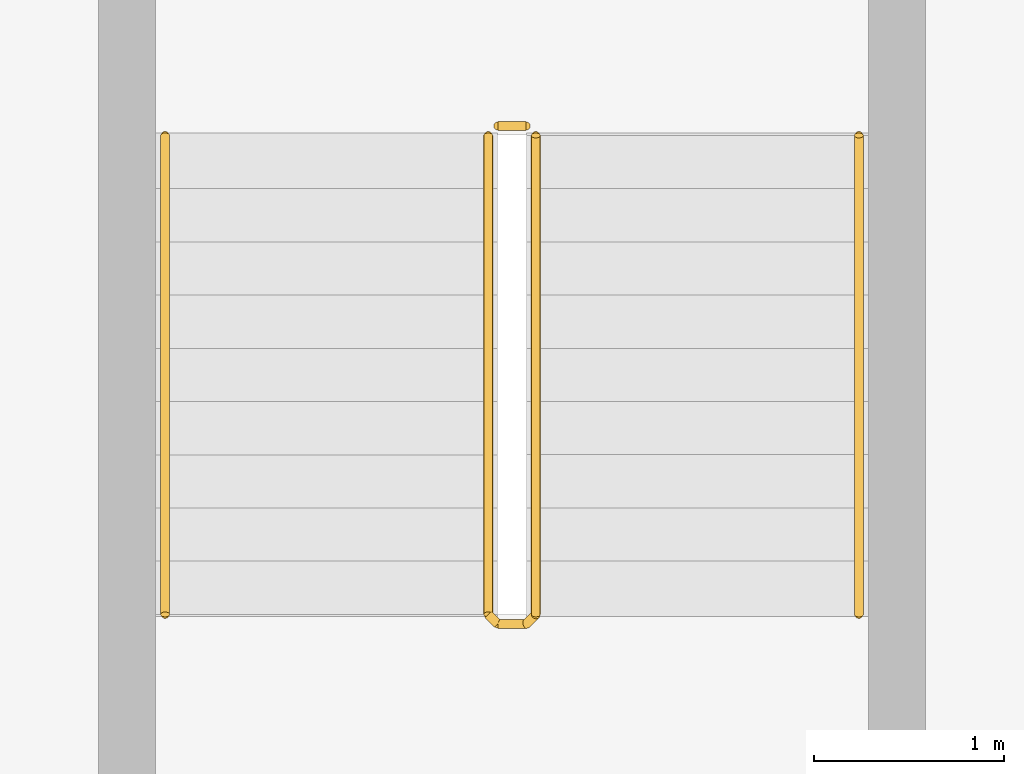
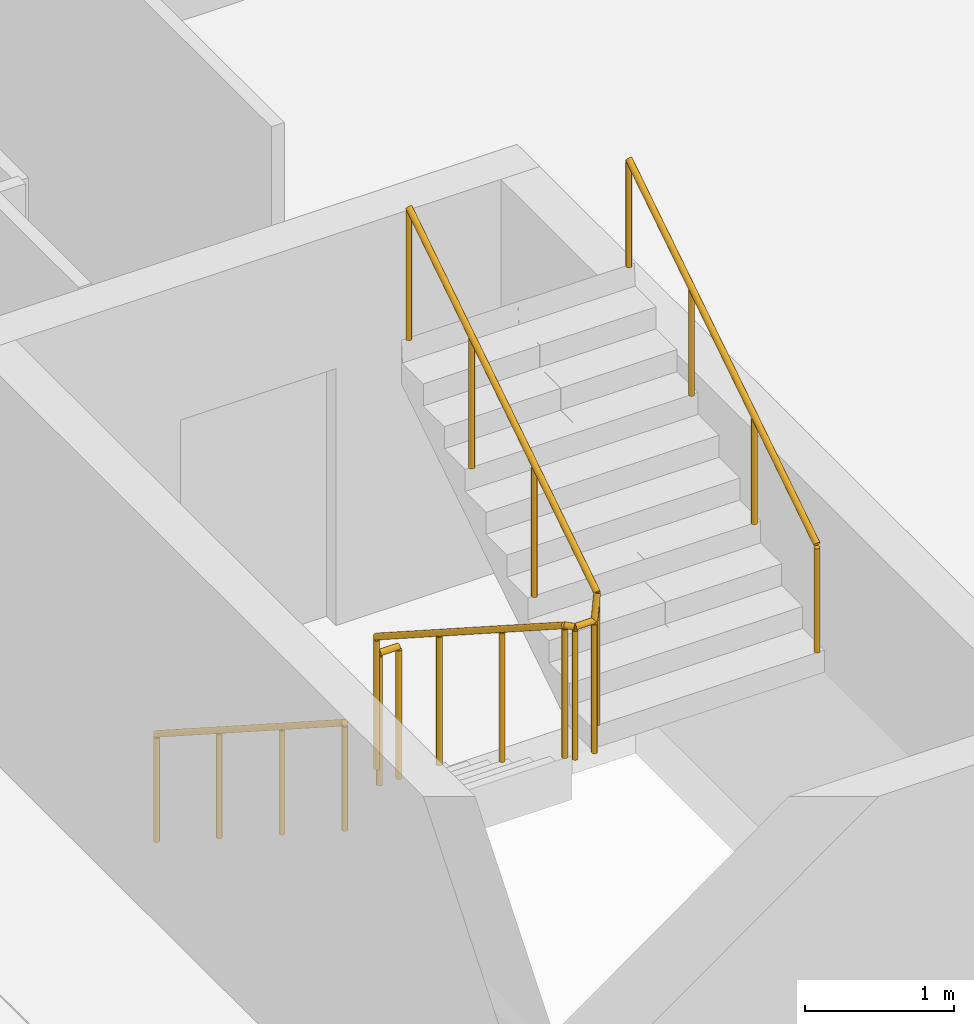
# One storey, part 25 of 27: 4 railings.
"""IFC4 building model written with IfcOpenShell, lengths in metres."""

from ifc_helpers import new_model, si_unit, direction, frame, origin, origin_2d, place, context, subcontext, project, spatial, circle, extrude, material, type_object, element, save


model = new_model("IFC4")

# Units and contexts
model_context = context("Model", 3, precision=1e-05, world=origin(), true_north=direction((0.0, 1.0)))
body_context = subcontext(model_context, "Body", "Model", "MODEL_VIEW")
ifc_project = project(units=[si_unit("LENGTHUNIT", "METRE"), si_unit("AREAUNIT", "SQUARE_METRE"), si_unit("VOLUMEUNIT", "CUBIC_METRE"), si_unit("PLANEANGLEUNIT", "RADIAN"), si_unit("MASSUNIT", "GRAM", prefix="KILO")], contexts=[model_context])

# Site, building, storey
site_placement = place(None, origin())
site = spatial("IfcSite", under=ifc_project, at=site_placement, CompositionType="ELEMENT")
building_placement = place(site_placement, origin())
building = spatial("IfcBuilding", under=site, at=building_placement, Name="Wharfspan Tower", CompositionType="ELEMENT")
storey_placement = place(building_placement, frame((0.0, 0.0, 48.699951)))
storey = spatial("IfcBuildingStorey", under=building, at=storey_placement, Name="L08", CompositionType="ELEMENT", Elevation=48.699951)

# Railings
ifc_material = material(Name="Steel S355J2", Category="steel")
railing_type_1 = type_object("IfcRailingType", Name="Stair guard 1100", PredefinedType="GUARDRAIL", material=ifc_material)
railing_1_placement = place(storey_placement, frame((39.258301, 3.760498, 0.179932)))
element("IfcRailing", 1, at=railing_1_placement, inside=storey, type_object=railing_type_1, Name="L08 ST4 stair guard 1", PredefinedType="GUARDRAIL", context=body_context, shape_type="SweptSolid", body=[
    extrude(circle(Radius=0.023926, at=origin_2d()), frame((0.0, 0.0, 1.076172), z_axis=(0.0, -0.841139, 0.540819), x_axis=(1.0, 0.0, 0.0)), (0.0, 0.0, 1.0), 2.995605),
    extrude(circle(Radius=0.023926, at=origin_2d()), frame((0.0, -2.519775, 2.696289), z_axis=(0.707107, -0.707107, 0.0), x_axis=(0.707107, 0.707107, 0.0)), (0.0, 0.0, 1.0), 0.070801),
    extrude(circle(Radius=0.023926, at=origin_2d()), frame((0.050049, -2.569824, 2.696289), z_axis=(1.0, 0.0, 0.0), x_axis=(0.0, 1.0, 0.0)), (0.0, 0.0, 1.0), 0.149902),
    extrude(circle(Radius=0.023926, at=origin_2d()), frame((0.199951, -2.569824, 2.696289), z_axis=(0.258848, 0.258848, 0.930589), x_axis=(-0.707107, 0.707107, 0.0)), (0.0, 0.0, 1.0), 0.193359),
    extrude(circle(Radius=0.023926, at=origin_2d()), frame((0.25, -2.519775, 2.875977), z_axis=(0.0, 0.841139, 0.540819), x_axis=(-1.0, 0.0, 0.0)), (0.0, 0.0, 1.0), 2.995605),
    extrude(circle(Radius=0.020996, at=origin_2d()), origin(), (0.0, 0.0, 1.0), 1.052002),
    extrude(circle(Radius=0.020996, at=origin_2d()), frame((0.0, -0.839844, 0.540039)), (0.0, 0.0, 1.0), 1.052002),
    extrude(circle(Radius=0.020996, at=origin_2d()), frame((0.0, -1.679932, 1.080078)), (0.0, 0.0, 1.0), 1.052002),
    extrude(circle(Radius=0.020996, at=origin_2d()), frame((0.0, -2.519775, 1.620117)), (0.0, 0.0, 1.0), 1.052002),
    extrude(circle(Radius=0.020996, at=origin_2d()), frame((0.050049, -2.569824, 1.620117)), (0.0, 0.0, 1.0), 1.052002),
    extrude(circle(Radius=0.020996, at=origin_2d()), frame((0.199951, -2.569824, 1.620117)), (0.0, 0.0, 1.0), 1.052002),
    extrude(circle(Radius=0.020996, at=origin_2d()), frame((0.25, -2.519775, 1.800049)), (0.0, 0.0, 1.0), 1.052002),
    extrude(circle(Radius=0.020996, at=origin_2d()), frame((0.25, -1.679932, 2.340088)), (0.0, 0.0, 1.0), 1.052002),
    extrude(circle(Radius=0.020996, at=origin_2d()), frame((0.25, -0.839844, 2.880127)), (0.0, 0.0, 1.0), 1.052002),
    extrude(circle(Radius=0.020996, at=origin_2d()), frame((0.25, 0.0, 3.420166)), (0.0, 0.0, 1.0), 1.052002),
])
railing_2_placement = place(storey_placement, frame((39.30835, 3.810547, 0.0)))
element("IfcRailing", 2, at=railing_2_placement, inside=storey, type_object=railing_type_1, Name="L08 ST4 stair guard 2", PredefinedType="GUARDRAIL", context=body_context, shape_type="SweptSolid", body=[
    extrude(circle(Radius=0.023926, at=origin_2d()), frame((0.0, 0.0, 1.076172), z_axis=(1.0, 0.0, 0.0), x_axis=(0.0, 1.0, 0.0)), (0.0, 0.0, 1.0), 0.149902),
    extrude(circle(Radius=0.020996, at=origin_2d()), origin(), (0.0, 0.0, 1.0), 1.052002),
    extrude(circle(Radius=0.020996, at=origin_2d()), frame((0.149902, 0.0, 0.0)), (0.0, 0.0, 1.0), 1.052002),
])
railing_type_2 = type_object("IfcRailingType", Name="Stair handrail 900", PredefinedType="HANDRAIL", material=ifc_material)
railing_3_placement = place(storey_placement, frame((37.55835, 3.760498, 0.179932)))
element("IfcRailing", 3, at=railing_3_placement, inside=storey, type_object=railing_type_2, Name="L08 ST4 stair handrail 1", PredefinedType="HANDRAIL", context=body_context, shape_type="SweptSolid", body=[
    extrude(circle(Radius=0.023926, at=origin_2d()), frame((0.0, 0.0, 0.875977), z_axis=(0.0, -0.841139, 0.540819), x_axis=(1.0, 0.0, 0.0)), (0.0, 0.0, 1.0), 2.995605),
    extrude(circle(Radius=0.020996, at=origin_2d()), origin(), (0.0, 0.0, 1.0), 0.851807),
    extrude(circle(Radius=0.020996, at=origin_2d()), frame((0.0, -0.839844, 0.540039)), (0.0, 0.0, 1.0), 0.851807),
    extrude(circle(Radius=0.020996, at=origin_2d()), frame((0.0, -1.679932, 1.080078)), (0.0, 0.0, 1.0), 0.851807),
    extrude(circle(Radius=0.020996, at=origin_2d()), frame((0.0, -2.519775, 1.620117)), (0.0, 0.0, 1.0), 0.851807),
])
railing_4_placement = place(storey_placement, frame((41.208252, 1.240723, 1.97998)))
element("IfcRailing", 4, at=railing_4_placement, inside=storey, type_object=railing_type_2, Name="L08 ST4 stair handrail 2", PredefinedType="HANDRAIL", context=body_context, shape_type="SweptSolid", body=[
    extrude(circle(Radius=0.023926, at=origin_2d()), frame((0.0, 0.0, 0.875977), z_axis=(0.0, 0.841139, 0.540819), x_axis=(-1.0, 0.0, 0.0)), (0.0, 0.0, 1.0), 2.995605),
    extrude(circle(Radius=0.020996, at=origin_2d()), origin(), (0.0, 0.0, 1.0), 0.851807),
    extrude(circle(Radius=0.020996, at=origin_2d()), frame((0.0, 0.839844, 0.540039)), (0.0, 0.0, 1.0), 0.851807),
    extrude(circle(Radius=0.020996, at=origin_2d()), frame((0.0, 1.679932, 1.080078)), (0.0, 0.0, 1.0), 0.851807),
    extrude(circle(Radius=0.020996, at=origin_2d()), frame((0.0, 2.519775, 1.620117)), (0.0, 0.0, 1.0), 0.851807),
])

save(model, "model.ifc")
